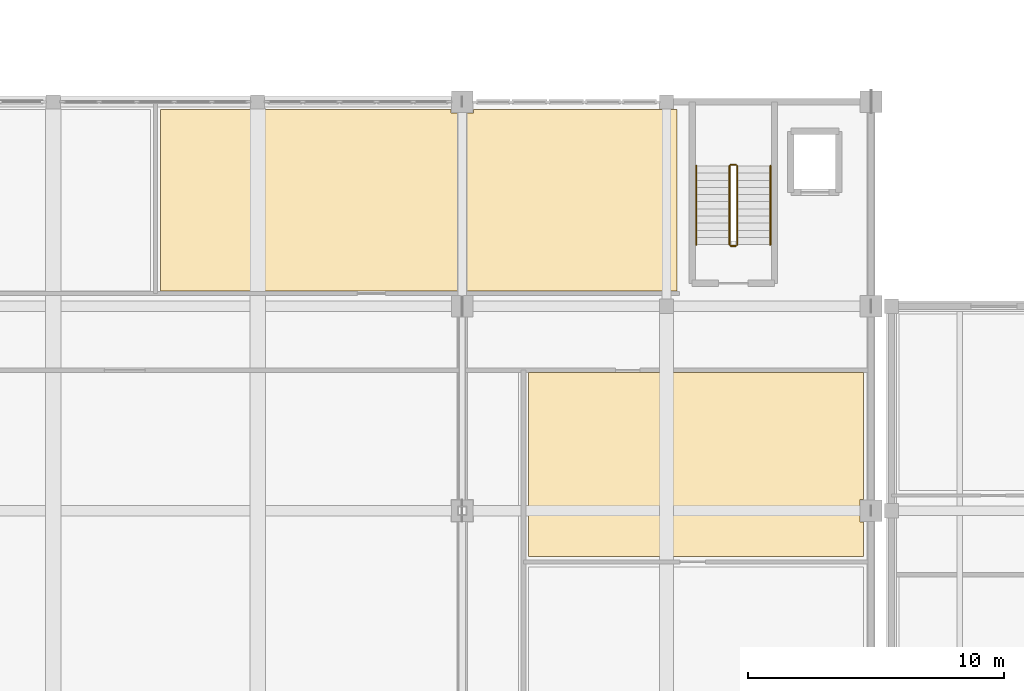
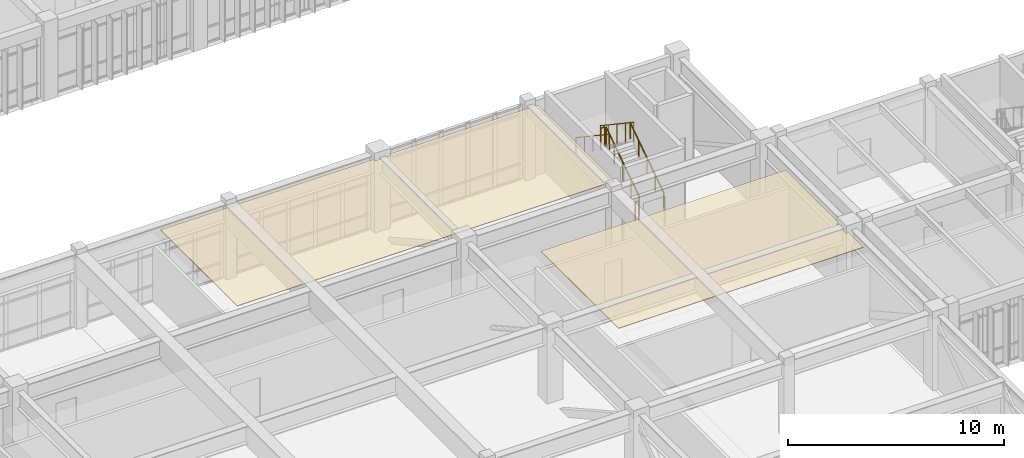
# One storey, part 71 of 79: 6 railings, 2 coverings.
"""IFC4 building model written with IfcOpenShell, lengths in metres."""

from ifc_helpers import new_model, si_unit, direction, frame, origin, origin_2d, place, context, subcontext, project, spatial, polyline, circle, outline, extrude, material, layer, layer_set, type_object, element, save


model = new_model("IFC4")

# Units and contexts
model_context = context("Model", 3, precision=1e-05, world=origin(), true_north=direction((0.0, 1.0)))
body_context = subcontext(model_context, "Body", "Model", "MODEL_VIEW")
ifc_project = project(units=[si_unit("LENGTHUNIT", "METRE"), si_unit("AREAUNIT", "SQUARE_METRE"), si_unit("VOLUMEUNIT", "CUBIC_METRE"), si_unit("PLANEANGLEUNIT", "RADIAN"), si_unit("MASSUNIT", "GRAM", prefix="KILO")], contexts=[model_context])

# Site, building, storey
site_placement = place(None, origin())
site = spatial("IfcSite", under=ifc_project, at=site_placement, CompositionType="ELEMENT")
building_placement = place(site_placement, origin())
building = spatial("IfcBuilding", under=site, at=building_placement, Name="Tlaxcora Railside Police Headquarters", CompositionType="ELEMENT")
storey_placement = place(building_placement, frame((0.0, 0.0, 9.0)))
storey = spatial("IfcBuildingStorey", under=building, at=storey_placement, Name="L02", CompositionType="ELEMENT", Elevation=9.0)

# Coverings
ifc_material_1 = material(Name="Mineral-fibre acoustic ceiling tile")
ifc_layer = layer(ifc_material_1, 0.034912109375, Name="Mineral-fibre acoustic ceiling tile")
ifc_layer_set = layer_set([ifc_layer], Name="Mineral-fibre acoustic ceiling tile")
covering_type = type_object("IfcCoveringType", Name="Acoustic Suspended Ceiling CLG-01", PredefinedType="CEILING", material=ifc_layer_set)
covering_1_placement = place(storey_placement, frame((0.0, 0.0, 4.06494140625)))
element("IfcCovering", 1, at=covering_1_placement, inside=storey, type_object=covering_type, Name="Accessible WC, Staff Restrooms and Quiet Break Room suspended ceiling", PredefinedType="CEILING", context=body_context, shape_type="SweptSolid", body=[
    extrude(outline(polyline([(101.699951171875, 49.39990234375), (88.60009765625, 49.39990234375), (88.60009765625, 42.199951171875), (101.699951171875, 42.199951171875), (101.699951171875, 43.56494140625), (101.56494140625, 43.56494140625), (101.56494140625, 44.43505859375), (101.699951171875, 44.43505859375), (101.699951171875, 49.39990234375)])), origin(), (0.0, 0.0, 1.0), 0.03515625),
])
covering_2_placement = place(storey_placement, frame((0.0, 0.0, 4.06494140625)))
element("IfcCovering", 2, at=covering_2_placement, inside=storey, type_object=covering_type, Name="Traffic Telemetry and Municipal CCTV Analytics suspended ceiling", PredefinedType="CEILING", context=body_context, shape_type="SweptSolid", body=[
    extrude(outline(polyline([(94.39990234375, 59.699951171875), (86.43505859375, 59.699951171875), (86.43505859375, 59.56494140625), (85.56494140625, 59.56494140625), (85.56494140625, 59.699951171875), (74.199951171875, 59.699951171875), (74.199951171875, 52.60009765625), (94.39990234375, 52.60009765625), (94.39990234375, 59.699951171875)])), origin(), (0.0, 0.0, 1.0), 0.03515625),
])

# Railings
ifc_material_2 = material(Name="Steel ASTM A992 Grade 50", Category="steel")
railing_type_1 = type_object("IfcRailingType", Name="Stair Well Guard Balustrade GR-02", PredefinedType="BALUSTRADE", material=ifc_material_2)
railing_1_placement = place(storey_placement, frame((96.760009765625, 54.409912109375, 0.1875)))
element("IfcRailing", 3, at=railing_1_placement, inside=storey, type_object=railing_type_1, Name="L02 ST9 stair guard 1", PredefinedType="BALUSTRADE", context=body_context, shape_type="SweptSolid", body=[
    extrude(circle(Radius=0.02392578125, at=origin_2d()), frame((0.0, 0.0, 1.09619140625), z_axis=(0.0, 0.830913701846, 0.55640131208), x_axis=(-1.0, 0.0, 0.0)), (0.0, 0.0, 1.0), 3.706787109375),
    extrude(circle(Radius=0.02099609375, at=origin_2d()), origin(), (0.0, 0.0, 1.0), 1.072021484375),
    extrude(circle(Radius=0.02099609375, at=origin_2d()), frame((0.0, 0.77001953125, 0.515625)), (0.0, 0.0, 1.0), 1.072021484375),
    extrude(circle(Radius=0.02099609375, at=origin_2d()), frame((0.0, 1.5400390625, 1.03125)), (0.0, 0.0, 1.0), 1.072021484375),
    extrude(circle(Radius=0.02099609375, at=origin_2d()), frame((0.0, 2.31005859375, 1.546875)), (0.0, 0.0, 1.0), 1.072021484375),
    extrude(circle(Radius=0.02099609375, at=origin_2d()), frame((0.0, 3.080078125, 2.0625)), (0.0, 0.0, 1.0), 1.072021484375),
])
railing_2_placement = place(storey_placement, frame((96.7099609375, 57.5400390625, 2.25)))
element("IfcRailing", 4, at=railing_2_placement, inside=storey, type_object=railing_type_1, Name="L02 ST9 stair guard 2", PredefinedType="BALUSTRADE", context=body_context, shape_type="SweptSolid", body=[
    extrude(circle(Radius=0.02392578125, at=origin_2d()), frame((0.0, 0.0, 1.09619140625), z_axis=(-1.0, 0.0, 0.0), x_axis=(0.0, -1.0, 0.0)), (0.0, 0.0, 1.0), 0.199951171875),
    extrude(circle(Radius=0.02099609375, at=origin_2d()), origin(), (0.0, 0.0, 1.0), 1.072021484375),
    extrude(circle(Radius=0.02099609375, at=origin_2d()), frame((-0.199951171875, 0.0, 0.0)), (0.0, 0.0, 1.0), 1.072021484375),
])
railing_3_placement = place(storey_placement, frame((96.4599609375, 57.489990234375, 2.4375)))
element("IfcRailing", 5, at=railing_3_placement, inside=storey, type_object=railing_type_1, Name="L02 ST9 stair guard 3", PredefinedType="BALUSTRADE", context=body_context, shape_type="SweptSolid", body=[
    extrude(circle(Radius=0.02392578125, at=origin_2d()), frame((0.0, 0.0, 1.09619140625), z_axis=(0.0, -0.830913701846, 0.55640131208), x_axis=(1.0, 0.0, 0.0)), (0.0, 0.0, 1.0), 3.706787109375),
    extrude(circle(Radius=0.02099609375, at=origin_2d()), origin(), (0.0, 0.0, 1.0), 1.072021484375),
    extrude(circle(Radius=0.02099609375, at=origin_2d()), frame((0.0, -0.77001953125, 0.515625)), (0.0, 0.0, 1.0), 1.072021484375),
    extrude(circle(Radius=0.02099609375, at=origin_2d()), frame((0.0, -1.5400390625, 1.03125)), (0.0, 0.0, 1.0), 1.072021484375),
    extrude(circle(Radius=0.02099609375, at=origin_2d()), frame((0.0, -2.31005859375, 1.546875)), (0.0, 0.0, 1.0), 1.072021484375),
    extrude(circle(Radius=0.02099609375, at=origin_2d()), frame((0.0, -3.080078125, 2.0625)), (0.0, 0.0, 1.0), 1.072021484375),
])
railing_4_placement = place(storey_placement, frame((96.7099609375, 54.360107421875, 0.0)))
element("IfcRailing", 6, at=railing_4_placement, inside=storey, type_object=railing_type_1, Name="L02 ST9 stair guard 4", PredefinedType="BALUSTRADE", context=body_context, shape_type="SweptSolid", body=[
    extrude(circle(Radius=0.02392578125, at=origin_2d()), frame((0.0, 0.0, 1.09619140625), z_axis=(-1.0, 0.0, 0.0), x_axis=(0.0, -1.0, 0.0)), (0.0, 0.0, 1.0), 0.199951171875),
    extrude(circle(Radius=0.02099609375, at=origin_2d()), origin(), (0.0, 0.0, 1.0), 1.072021484375),
    extrude(circle(Radius=0.02099609375, at=origin_2d()), frame((-0.199951171875, 0.0, 0.0)), (0.0, 0.0, 1.0), 1.072021484375),
])
railing_type_2 = type_object("IfcRailingType", Name="Stair and Ramp Handrail HR-01", PredefinedType="HANDRAIL", material=ifc_material_2)
railing_5_placement = place(storey_placement, frame((98.06005859375, 54.409912109375, 0.1875)))
element("IfcRailing", 7, at=railing_5_placement, inside=storey, type_object=railing_type_2, Name="L02 ST9 stair handrail 1", PredefinedType="HANDRAIL", context=body_context, shape_type="SweptSolid", body=[
    extrude(circle(Radius=0.02392578125, at=origin_2d()), frame((0.0, 0.0, 0.8759765625), z_axis=(0.0, 0.830913701846, 0.55640131208), x_axis=(-1.0, 0.0, 0.0)), (0.0, 0.0, 1.0), 3.706787109375),
    extrude(circle(Radius=0.02099609375, at=origin_2d()), origin(), (0.0, 0.0, 1.0), 0.851806640625),
    extrude(circle(Radius=0.02099609375, at=origin_2d()), frame((0.0, 0.77001953125, 0.515625)), (0.0, 0.0, 1.0), 0.851806640625),
    extrude(circle(Radius=0.02099609375, at=origin_2d()), frame((0.0, 1.5400390625, 1.03125)), (0.0, 0.0, 1.0), 0.851806640625),
    extrude(circle(Radius=0.02099609375, at=origin_2d()), frame((0.0, 2.31005859375, 1.546875)), (0.0, 0.0, 1.0), 0.851806640625),
    extrude(circle(Radius=0.02099609375, at=origin_2d()), frame((0.0, 3.080078125, 2.0625)), (0.0, 0.0, 1.0), 0.851806640625),
])
railing_6_placement = place(storey_placement, frame((95.159912109375, 57.489990234375, 2.4375)))
element("IfcRailing", 8, at=railing_6_placement, inside=storey, type_object=railing_type_2, Name="L02 ST9 stair handrail 2", PredefinedType="HANDRAIL", context=body_context, shape_type="SweptSolid", body=[
    extrude(circle(Radius=0.02392578125, at=origin_2d()), frame((0.0, 0.0, 0.8759765625), z_axis=(0.0, -0.830913701846, 0.55640131208), x_axis=(1.0, 0.0, 0.0)), (0.0, 0.0, 1.0), 3.706787109375),
    extrude(circle(Radius=0.02099609375, at=origin_2d()), origin(), (0.0, 0.0, 1.0), 0.851806640625),
    extrude(circle(Radius=0.02099609375, at=origin_2d()), frame((0.0, -0.77001953125, 0.515625)), (0.0, 0.0, 1.0), 0.851806640625),
    extrude(circle(Radius=0.02099609375, at=origin_2d()), frame((0.0, -1.5400390625, 1.03125)), (0.0, 0.0, 1.0), 0.851806640625),
    extrude(circle(Radius=0.02099609375, at=origin_2d()), frame((0.0, -2.31005859375, 1.546875)), (0.0, 0.0, 1.0), 0.851806640625),
    extrude(circle(Radius=0.02099609375, at=origin_2d()), frame((0.0, -3.080078125, 2.0625)), (0.0, 0.0, 1.0), 0.851806640625),
])

save(model, "model.ifc")
